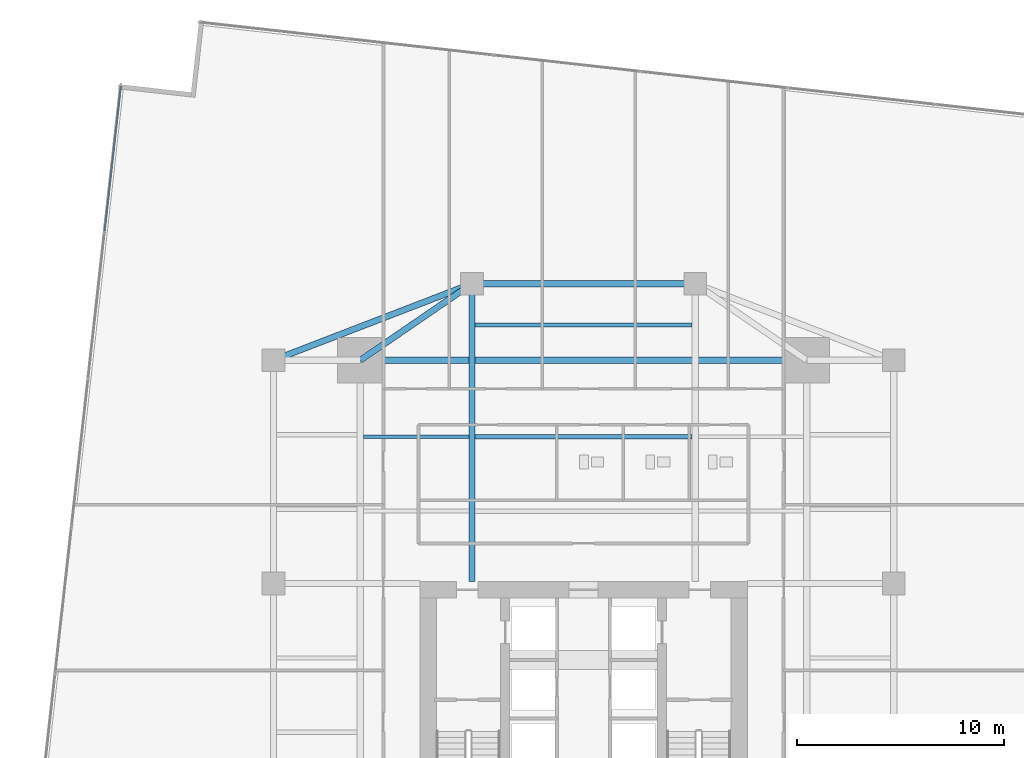
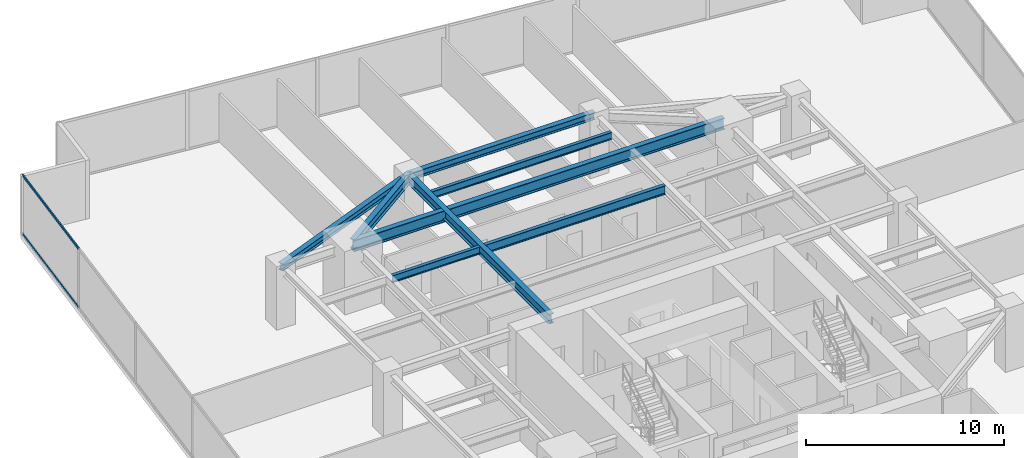
# One storey, part 17 of 31: 8 beams, 2 members, 1 element without a shape of its own.
"""IFC4 building model written with IfcOpenShell, lengths in metres."""

from ifc_helpers import new_model, si_unit, direction, frame, origin, origin_2d, place, context, subcontext, project, spatial, hollow_rectangle, i_section, extrude, source, transform, mapped, material, material_profile, profile_set, type_object, type_shapes, element, aggregate, save


model = new_model("IFC4")

# Units and contexts
model_context = context("Model", 3, precision=1e-05, world=origin(), true_north=direction((0.0, 1.0)))
body_context = subcontext(model_context, "Body", "Model", "MODEL_VIEW")
ifc_project = project(units=[si_unit("LENGTHUNIT", "METRE"), si_unit("AREAUNIT", "SQUARE_METRE"), si_unit("VOLUMEUNIT", "CUBIC_METRE"), si_unit("PLANEANGLEUNIT", "RADIAN"), si_unit("MASSUNIT", "GRAM", prefix="KILO")], contexts=[model_context])

# Site, building, storey
site_placement = place(None, origin())
site = spatial("IfcSite", under=ifc_project, at=site_placement, CompositionType="ELEMENT")
building_placement = place(site_placement, origin())
building = spatial("IfcBuilding", under=site, at=building_placement, Name="Krantzveldt Concourse Tower", CompositionType="ELEMENT")
storey_placement = place(building_placement, frame((0.0, 0.0, 56.60009765625)))
storey = spatial("IfcBuildingStorey", under=building, at=storey_placement, Name="L13", CompositionType="ELEMENT", Elevation=56.60009765625)

# Beams
ifc_material_1 = material(Name="Steel S355J2", Category="steel")
ifc_material_profile_1 = material_profile(ifc_material_1, i_section(OverallWidth=0.300048828125, OverallDepth=0.699951171875, WebThickness=0.01708984375, FlangeThickness=0.031982421875, FilletRadius=0.027099609375, at=origin_2d()), Name="Steel S355J2", Category="steel")
ifc_profile_set_1 = profile_set([ifc_material_profile_1], Name="Steel S355J2 - HEB 700")
beam_type_1 = type_object("IfcBeamType", Name="BM-B-HEB700", PredefinedType="BEAM", material=ifc_profile_set_1)
shared_shape_1 = source(origin(), body_context, "Body", "SweptSolid", [
    extrude(i_section(OverallWidth=0.300048828125, OverallDepth=0.699951171875, WebThickness=0.01708984375, FlangeThickness=0.031982421875, FilletRadius=0.027099609375, at=origin_2d()), origin(), (0.0, 0.0, 1.0), 21.60009765625),
])
type_shapes(beam_type_1, [shared_shape_1])
beam_1_placement = place(storey_placement, frame((25.199951171875, 37.5, 3.31982421875), z_axis=(1.0, 0.0, 0.0), x_axis=(0.0, 1.0, 0.0)))
element("IfcBeam", 1, at=beam_1_placement, inside=storey, type_object=beam_type_1, Name="L13 Tower Girder BG-MN", PredefinedType="BEAM", context=body_context, shape_type="MappedRepresentation", body=[
    mapped(shared_shape_1, transform((0.0, 0.0, 0.0), x_axis=(1.0, 0.0, 0.0), y_axis=(0.0, 1.0, 0.0), z_axis=(0.0, 0.0, 1.0), scale=1.0)),
])
ifc_material_2 = material(Name="Steel S355JR", Category="steel")
ifc_material_profile_2 = material_profile(ifc_material_2, i_section(OverallWidth=0.300048828125, OverallDepth=0.590087890625, WebThickness=0.012939453125, FlangeThickness=0.02490234375, FilletRadius=0.027099609375, at=origin_2d()), Name="Steel S355JR", Category="steel")
ifc_profile_set_2 = profile_set([ifc_material_profile_2], Name="Steel S355JR - HEA 600")
beam_type_2 = type_object("IfcBeamType", Name="BM-B-HEA600", PredefinedType="BEAM", material=ifc_profile_set_2)
shared_shape_2 = source(origin(), body_context, "Body", "SweptSolid", [
    extrude(i_section(OverallWidth=0.300048828125, OverallDepth=0.590087890625, WebThickness=0.012939453125, FlangeThickness=0.02490234375, FilletRadius=0.027099609375, at=origin_2d()), origin(), (0.0, 0.0, 1.0), 14.39990234375),
])
beam_2_placement = place(storey_placement, frame((30.60009765625, 26.800048828125, 3.375), z_axis=(0.0, 1.0, 0.0), x_axis=(-1.0, 0.0, 0.0)))
element("IfcBeam", 2, at=beam_2_placement, inside=storey, type_object=beam_type_2, Name="L13 Tower Girder BG-CNW", PredefinedType="BEAM", context=body_context, shape_type="MappedRepresentation", body=[
    mapped(shared_shape_2, transform((0.0, 0.0, 0.0), x_axis=(1.0, 0.0, 0.0), y_axis=(0.0, 1.0, 0.0), z_axis=(0.0, 0.0, 1.0), scale=1.0)),
])
ifc_material_profile_3 = material_profile(ifc_material_2, i_section(OverallWidth=0.300048828125, OverallDepth=0.43994140625, WebThickness=0.011474609375, FlangeThickness=0.02099609375, FilletRadius=0.027099609375, at=origin_2d()), Name="Steel S355JR", Category="steel")
ifc_profile_set_3 = profile_set([ifc_material_profile_3], Name="Steel S355JR - HEA 450")
beam_type_3 = type_object("IfcBeamType", Name="BM-SP-HEA450", PredefinedType="SPANDREL", material=ifc_profile_set_3)
shared_shape_3 = source(origin(), body_context, "Body", "SweptSolid", [
    extrude(i_section(OverallWidth=0.300048828125, OverallDepth=0.43994140625, WebThickness=0.011474609375, FlangeThickness=0.02099609375, FilletRadius=0.027099609375, at=origin_2d()), origin(), (0.0, 0.0, 1.0), 10.288330078125),
])
beam_3_placement = place(storey_placement, frame((21.0, 37.5, 3.449951171875), z_axis=(0.933097690408, 0.359622997257, 0.0), x_axis=(-0.359622997257, 0.933097690408, 0.0)))
element("IfcBeam", 3, at=beam_3_placement, inside=storey, type_object=beam_type_3, Name="L13 Tower Girder SP-R03", PredefinedType="SPANDREL", context=body_context, shape_type="MappedRepresentation", body=[
    mapped(shared_shape_3, transform((0.0, 0.0, 0.0), x_axis=(1.0, 0.0, 0.0), y_axis=(0.0, 1.0, 0.0), z_axis=(0.0, 0.0, 1.0), scale=1.0)),
])
shared_shape_4 = source(origin(), body_context, "Body", "SweptSolid", [
    extrude(i_section(OverallWidth=0.300048828125, OverallDepth=0.43994140625, WebThickness=0.011474609375, FlangeThickness=0.02099609375, FilletRadius=0.027099609375, at=origin_2d()), origin(), (0.0, 0.0, 1.0), 10.7998046875),
])
type_shapes(beam_type_3, [shared_shape_3, shared_shape_4])
beam_4_placement = place(storey_placement, frame((30.60009765625, 41.199951171875, 3.449951171875), z_axis=(1.0, 0.0, 0.0), x_axis=(0.0, 1.0, 0.0)))
element("IfcBeam", 4, at=beam_4_placement, inside=storey, type_object=beam_type_3, Name="L13 Tower Girder SP-R04", PredefinedType="SPANDREL", context=body_context, shape_type="MappedRepresentation", body=[
    mapped(shared_shape_4, transform((0.0, 0.0, 0.0), x_axis=(1.0, 0.0, 0.0), y_axis=(0.0, 1.0, 0.0), z_axis=(0.0, 0.0, 1.0), scale=1.0)),
])
shared_shape_5 = source(origin(), body_context, "Body", "SweptSolid", [
    extrude(i_section(OverallWidth=0.300048828125, OverallDepth=0.590087890625, WebThickness=0.012939453125, FlangeThickness=0.02490234375, FilletRadius=0.027099609375, at=origin_2d()), origin(), (0.0, 0.0, 1.0), 6.546142578125),
])
type_shapes(beam_type_2, [shared_shape_2, shared_shape_5])
beam_5_placement = place(storey_placement, frame((25.199951171875, 37.5, 3.375), z_axis=(0.824942999484, 0.565215930068, 0.0), x_axis=(-0.565215930068, 0.824942999484, 0.0)))
element("IfcBeam", 5, at=beam_5_placement, inside=storey, type_object=beam_type_2, Name="L13 Tower Girder BR-RL4", PredefinedType="BEAM", context=body_context, shape_type="MappedRepresentation", body=[
    mapped(shared_shape_5, transform((0.0, 0.0, 0.0), x_axis=(1.0, 0.0, 0.0), y_axis=(0.0, 1.0, 0.0), z_axis=(0.0, 0.0, 1.0), scale=1.0)),
])
ifc_material_profile_4 = material_profile(ifc_material_2, i_section(OverallWidth=0.2099609375, OverallDepth=0.550048828125, WebThickness=0.010986328125, FlangeThickness=0.01708984375, FilletRadius=0.02392578125, at=origin_2d()), Name="Steel S355JR", Category="steel")
ifc_profile_set_4 = profile_set([ifc_material_profile_4], Name="Steel S355JR - IPE 550")
beam_type_4 = type_object("IfcBeamType", Name="BM-J-IPE550", PredefinedType="JOIST", material=ifc_profile_set_4)
shared_shape_6 = source(origin(), body_context, "Body", "SweptSolid", [
    extrude(i_section(OverallWidth=0.2099609375, OverallDepth=0.550048828125, WebThickness=0.010986328125, FlangeThickness=0.01708984375, FilletRadius=0.02392578125, at=origin_2d()), origin(), (0.0, 0.0, 1.0), 10.5),
])
type_shapes(beam_type_4, [shared_shape_6])
beam_6_placement = place(storey_placement, frame((30.75, 33.800048828125, 3.39501953125), z_axis=(1.0, 0.0, 0.0), x_axis=(0.0, 1.0, 0.0)))
element("IfcBeam", 6, at=beam_6_placement, inside=storey, type_object=beam_type_4, Name="L13 Secondary Floor Joist JN-C2", PredefinedType="JOIST", context=body_context, shape_type="MappedRepresentation", body=[
    mapped(shared_shape_6, transform((0.0, 0.0, 0.0), x_axis=(1.0, 0.0, 0.0), y_axis=(0.0, 1.0, 0.0), z_axis=(0.0, 0.0, 1.0), scale=1.0)),
])
ifc_material_profile_5 = material_profile(ifc_material_2, i_section(OverallWidth=0.18994140625, OverallDepth=0.449951171875, WebThickness=0.009521484375, FlangeThickness=0.0146484375, FilletRadius=0.02099609375, at=origin_2d()), Name="Steel S355JR", Category="steel")
ifc_profile_set_5 = profile_set([ifc_material_profile_5], Name="Steel S355JR - IPE 450")
beam_type_5 = type_object("IfcBeamType", Name="BM-J-IPE450", PredefinedType="JOIST", material=ifc_profile_set_5)
shared_shape_7 = source(origin(), body_context, "Body", "SweptSolid", [
    extrude(i_section(OverallWidth=0.18994140625, OverallDepth=0.449951171875, WebThickness=0.009521484375, FlangeThickness=0.0146484375, FilletRadius=0.02099609375, at=origin_2d()), origin(), (0.0, 0.0, 1.0), 10.5),
])
beam_7_placement = place(storey_placement, frame((30.75, 39.199951171875, 3.44482421875), z_axis=(1.0, 0.0, 0.0), x_axis=(0.0, 1.0, 0.0)))
element("IfcBeam", 7, at=beam_7_placement, inside=storey, type_object=beam_type_5, Name="L13 Secondary Floor Joist JN-C3", PredefinedType="JOIST", context=body_context, shape_type="MappedRepresentation", body=[
    mapped(shared_shape_7, transform((0.0, 0.0, 0.0), x_axis=(1.0, 0.0, 0.0), y_axis=(0.0, 1.0, 0.0), z_axis=(0.0, 0.0, 1.0), scale=1.0)),
])
shared_shape_8 = source(origin(), body_context, "Body", "SweptSolid", [
    extrude(i_section(OverallWidth=0.18994140625, OverallDepth=0.449951171875, WebThickness=0.009521484375, FlangeThickness=0.0146484375, FilletRadius=0.02099609375, at=origin_2d()), origin(), (0.0, 0.0, 1.0), 5.099853515625),
])
type_shapes(beam_type_5, [shared_shape_7, shared_shape_8])
beam_8_placement = place(storey_placement, frame((25.35009765625, 33.800048828125, 3.44482421875), z_axis=(1.0, 0.0, 0.0), x_axis=(0.0, 1.0, 0.0)))
element("IfcBeam", 8, at=beam_8_placement, inside=storey, type_object=beam_type_5, Name="L13 Secondary Floor Joist JN-W2", PredefinedType="JOIST", context=body_context, shape_type="MappedRepresentation", body=[
    mapped(shared_shape_8, transform((0.0, 0.0, 0.0), x_axis=(1.0, 0.0, 0.0), y_axis=(0.0, 1.0, 0.0), z_axis=(0.0, 0.0, 1.0), scale=1.0)),
])

# Curtain wall, members
ifc_material_3 = material(Name="Anodised aluminium 6063-T6", Category="aluminium")
curtain_wall_type = type_object("IfcCurtainWallType", Name="CW2", PredefinedType="USERDEFINED", material=ifc_material_3)
curtain_wall_placement = place(storey_placement, origin())
curtain_wall = element("IfcCurtainWall", 9, at=curtain_wall_placement, inside=storey, type_object=curtain_wall_type, Name="CW-L13-F01", ObjectType="UNITISED CURTAIN WALL", PredefinedType="USERDEFINED")
ifc_material_profile_6 = material_profile(ifc_material_3, hollow_rectangle(XDim=0.070068359375, YDim=0.139892578125, WallThickness=0.0048828125, at=origin_2d()), Name="Anodised aluminium 6063-T6", Category="aluminium")
ifc_profile_set_6 = profile_set([ifc_material_profile_6], Name="Anodised aluminium 6063-T6 - ALU-TRAN 140x70x5")
member_type = type_object("IfcMemberType", Name="CW-TRN-150", PredefinedType="USERDEFINED", material=ifc_profile_set_6)
shared_shape_9 = source(origin(), body_context, "Body", "SweptSolid", [
    extrude(hollow_rectangle(XDim=0.070068359375, YDim=0.139892578125, WallThickness=0.0048828125, at=origin_2d()), origin(), (0.0, 0.0, 1.0), 7.061767578125),
])
type_shapes(member_type, [shared_shape_9])
member_1_placement = place(storey_placement, frame((13.62353515625, 50.763427734375, 0.034912109375), z_axis=(-0.111046217254, -0.993815243208, 0.0), x_axis=(0.993815243208, -0.111046217254, 0.0)))
member_1 = element("IfcMember", 10, at=member_1_placement, type_object=member_type, Name="CW-Z12 transom 1.1", ObjectType="TRANSOM", PredefinedType="USERDEFINED", context=body_context, shape_type="MappedRepresentation", body=[
    mapped(shared_shape_9, transform((0.0, 0.0, 0.0), x_axis=(1.0, 0.0, 0.0), y_axis=(0.0, 1.0, 0.0), z_axis=(0.0, 0.0, 1.0), scale=1.0)),
])
member_2_placement = place(storey_placement, frame((13.62353515625, 50.763427734375, 3.635009765625), z_axis=(-0.111046217254, -0.993815243208, 0.0), x_axis=(0.993815243208, -0.111046217254, 0.0)))
member_2 = element("IfcMember", 11, at=member_2_placement, type_object=member_type, Name="CW-Z12 transom 1.2", ObjectType="TRANSOM", PredefinedType="USERDEFINED", context=body_context, shape_type="MappedRepresentation", body=[
    mapped(shared_shape_9, transform((0.0, 0.0, 0.0), x_axis=(1.0, 0.0, 0.0), y_axis=(0.0, 1.0, 0.0), z_axis=(0.0, 0.0, 1.0), scale=1.0)),
])
aggregate(curtain_wall, [member_1, member_2])

save(model, "model.ifc")
